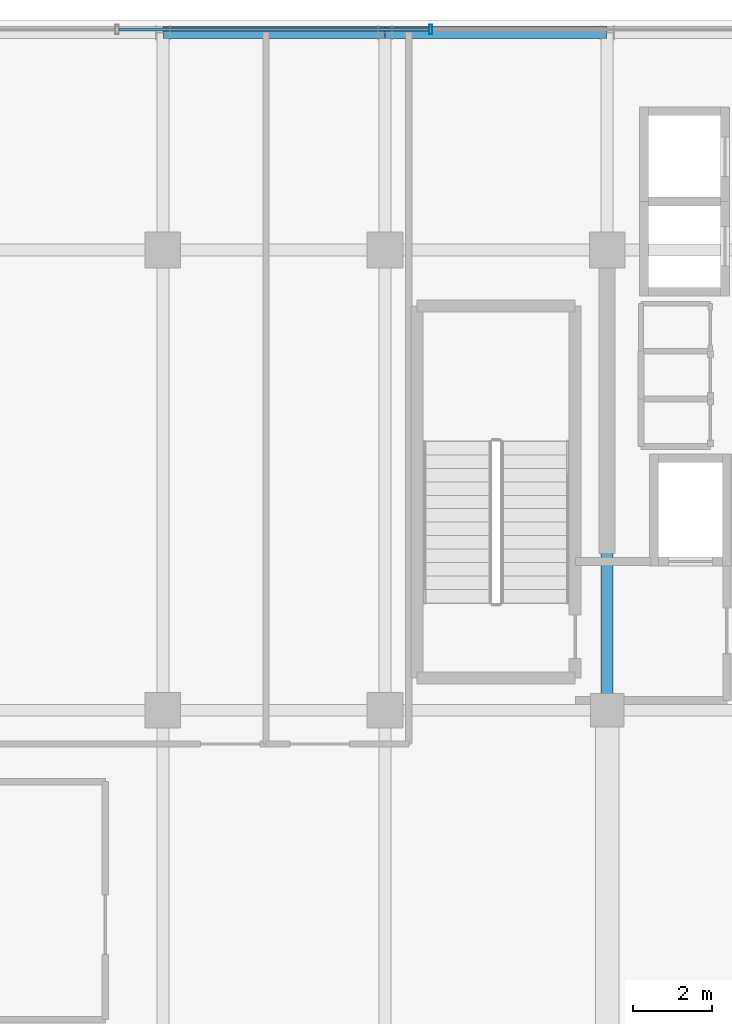
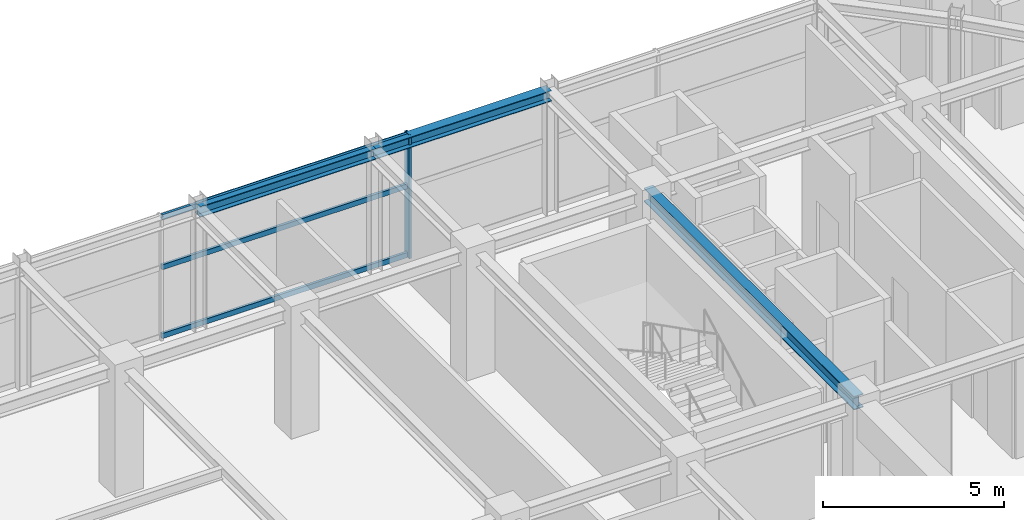
# One storey, part 15 of 25: 4 members, 3 beams, 1 element without a shape of its own.
"""IFC4 building model written with IfcOpenShell, lengths in metres."""

from ifc_helpers import new_model, si_unit, direction, frame, origin, origin_2d, place, context, subcontext, project, spatial, hollow_rectangle, i_section, extrude, source, transform, mapped, material, material_profile, profile_set, type_object, element, aggregate, save


model = new_model("IFC4")

# Units and contexts
model_context = context("Model", 3, precision=1e-05, world=origin(), true_north=direction((0.0, 1.0)))
body_context = subcontext(model_context, "Body", "Model", "MODEL_VIEW")
ifc_project = project(units=[si_unit("LENGTHUNIT", "METRE"), si_unit("AREAUNIT", "SQUARE_METRE"), si_unit("VOLUMEUNIT", "CUBIC_METRE"), si_unit("PLANEANGLEUNIT", "RADIAN"), si_unit("MASSUNIT", "GRAM", prefix="KILO")], contexts=[model_context])

# Site, building, storey
site_placement = place(None, origin())
site = spatial("IfcSite", under=ifc_project, at=site_placement, CompositionType="ELEMENT")
building_placement = place(site_placement, origin())
building = spatial("IfcBuilding", under=site, at=building_placement, Name="Nahalor Promenade Grand Hotel", CompositionType="ELEMENT")
storey_placement = place(building_placement, frame((0.0, 0.0, 338.550048828125)))
storey = spatial("IfcBuildingStorey", under=building, at=storey_placement, Name="L87", CompositionType="ELEMENT", Elevation=338.550048828125)

# Beams
ifc_material_1 = material(Name="Steel S355JR", Category="steel")
ifc_material_profile_1 = material_profile(ifc_material_1, i_section(OverallWidth=0.3, OverallDepth=0.45, WebThickness=0.014, FlangeThickness=0.026, at=origin_2d()), Name="HEB 450")
ifc_profile_set_1 = profile_set([ifc_material_profile_1], Name="Steel S355JR")
beam_type_1 = type_object("IfcBeamType", Name="Beam-Girder-HEB450", PredefinedType="BEAM", material=ifc_profile_set_1)
shared_shape_1 = source(origin(), body_context, "Body", "SweptSolid", [
    extrude(i_section(OverallWidth=0.3, OverallDepth=0.45, WebThickness=0.014, FlangeThickness=0.026, at=origin_2d()), origin(), (0.0, 0.0, 1.0), 11.60009765625),
])
beam_1_placement = place(storey_placement, frame((8.39990234375, 5.39990234375, 3.945068359375), z_axis=(0.0, 1.0, 0.0), x_axis=(-1.0, 0.0, 0.0)))
element("IfcBeam", 1, at=beam_1_placement, inside=storey, type_object=beam_type_1, Name="BM-L87-GY-4-3", PredefinedType="BEAM", context=body_context, shape_type="MappedRepresentation", body=[
    mapped(shared_shape_1, transform((0.0, 0.0, 0.0), scale=1.0)),
])
ifc_material_profile_2 = material_profile(ifc_material_1, i_section(OverallWidth=0.3, OverallDepth=0.36, WebThickness=0.0125, FlangeThickness=0.0225, at=origin_2d()), Name="HEB 360")
ifc_profile_set_2 = profile_set([ifc_material_profile_2], Name="Steel S355JR")
beam_type_2 = type_object("IfcBeamType", Name="Beam-Spandrel-HEB360", PredefinedType="SPANDREL", material=ifc_profile_set_2)
shared_shape_2 = source(origin(), body_context, "Body", "SweptSolid", [
    extrude(i_section(OverallWidth=0.3, OverallDepth=0.36, WebThickness=0.0125, FlangeThickness=0.0225, at=origin_2d()), origin(), (0.0, 0.0, 1.0), 5.599853515625),
])
beam_2_placement = place(storey_placement, frame((2.800048828125, 22.47998046875, 3.989990234375), z_axis=(1.0, 0.0, 0.0), x_axis=(0.0, 1.0, 0.0)))
element("IfcBeam", 2, at=beam_2_placement, inside=storey, type_object=beam_type_2, Name="BM-L87-SP-N-3", PredefinedType="SPANDREL", context=body_context, shape_type="MappedRepresentation", body=[
    mapped(shared_shape_2, transform((0.0, 0.0, 0.0), scale=1.0)),
])
shared_shape_3 = source(origin(), body_context, "Body", "SweptSolid", [
    extrude(i_section(OverallWidth=0.3, OverallDepth=0.36, WebThickness=0.0125, FlangeThickness=0.0225, at=origin_2d()), origin(), (0.0, 0.0, 1.0), 5.60009765625),
])
beam_3_placement = place(storey_placement, frame((-2.800048828125, 22.47998046875, 3.989990234375), z_axis=(1.0, 0.0, 0.0), x_axis=(0.0, 1.0, 0.0)))
element("IfcBeam", 3, at=beam_3_placement, inside=storey, type_object=beam_type_2, Name="BM-L87-SP-N-2", PredefinedType="SPANDREL", context=body_context, shape_type="MappedRepresentation", body=[
    mapped(shared_shape_3, transform((0.0, 0.0, 0.0), scale=1.0)),
])

# Curtain wall, members
ifc_material_2 = material(Name="Anodised Bronze Aluminium EN AW-6063 T6", Category="aluminium")
curtain_wall_type = type_object("IfcCurtainWallType", Name="CW5 Sky-Lobby & Observation Panoramic Curtain Wall", PredefinedType="USERDEFINED", material=ifc_material_2)
curtain_wall_placement = place(storey_placement, origin())
curtain_wall = element("IfcCurtainWall", 4, at=curtain_wall_placement, inside=storey, type_object=curtain_wall_type, Name="L87 Curtain Wall CW-L87-N-1", ObjectType="UNITISED_CURTAIN_WALL", PredefinedType="USERDEFINED")
ifc_material_profile_3 = material_profile(ifc_material_2, hollow_rectangle(XDim=0.085, YDim=0.25, WallThickness=0.006, at=origin_2d()), Name="CWM 85x250x6")
ifc_profile_set_3 = profile_set([ifc_material_profile_3], Name="Anodised Bronze Aluminium EN AW-6063 T6")
member_type_1 = type_object("IfcMemberType", Name="CWM5 Panoramic Deep Mullion 85x250", PredefinedType="MULLION", material=ifc_profile_set_3)
shared_shape_4 = source(origin(), body_context, "Body", "SweptSolid", [
    extrude(hollow_rectangle(XDim=0.085, YDim=0.25, WallThickness=0.006, at=origin_2d()), origin(), (0.0, 0.0, 1.0), 4.169921875),
])
member_1_placement = place(storey_placement, frame((3.951904296875, 22.56005859375, 0.0), z_axis=(0.0, 0.0, 1.0), x_axis=(1.0, 0.0, 0.0)))
member_1 = element("IfcMember", 5, at=member_1_placement, type_object=member_type_1, Name="CW-L87-N-1 Mullion 3", PredefinedType="MULLION", context=body_context, shape_type="MappedRepresentation", body=[
    mapped(shared_shape_4, transform((0.0, 0.0, 0.0), scale=1.0)),
])
ifc_material_profile_4 = material_profile(ifc_material_2, hollow_rectangle(XDim=0.085, YDim=0.17, WallThickness=0.005, at=origin_2d()), Name="CWT 85x170x5")
ifc_profile_set_4 = profile_set([ifc_material_profile_4], Name="Anodised Bronze Aluminium EN AW-6063 T6")
member_type_2 = type_object("IfcMemberType", Name="CWT5 Panoramic Transom 85x170", PredefinedType="USERDEFINED", material=ifc_profile_set_4)
shared_shape_5 = source(origin(), body_context, "Body", "SweptSolid", [
    extrude(hollow_rectangle(XDim=0.085, YDim=0.17, WallThickness=0.005, at=origin_2d()), origin(), (0.0, 0.0, 1.0), 7.81884765625),
])
member_2_placement = place(storey_placement, frame((-3.909423828125, 22.56005859375, 0.0849609375), z_axis=(1.0, 0.0, 0.0), x_axis=(0.0, 1.0, 0.0)))
member_2 = element("IfcMember", 6, at=member_2_placement, type_object=member_type_2, Name="CW-L87-N-1 Transom 2-0", ObjectType="TRANSOM", PredefinedType="USERDEFINED", context=body_context, shape_type="MappedRepresentation", body=[
    mapped(shared_shape_5, transform((0.0, 0.0, 0.0), scale=1.0)),
])
member_3_placement = place(storey_placement, frame((-3.909423828125, 22.56005859375, 2.39990234375), z_axis=(1.0, 0.0, 0.0), x_axis=(0.0, 1.0, 0.0)))
member_3 = element("IfcMember", 7, at=member_3_placement, type_object=member_type_2, Name="CW-L87-N-1 Transom 2-1", ObjectType="TRANSOM", PredefinedType="USERDEFINED", context=body_context, shape_type="MappedRepresentation", body=[
    mapped(shared_shape_5, transform((0.0, 0.0, 0.0), scale=1.0)),
])
member_4_placement = place(storey_placement, frame((-3.909423828125, 22.56005859375, 4.0849609375), z_axis=(1.0, 0.0, 0.0), x_axis=(0.0, 1.0, 0.0)))
member_4 = element("IfcMember", 8, at=member_4_placement, type_object=member_type_2, Name="CW-L87-N-1 Transom 2-2", ObjectType="TRANSOM", PredefinedType="USERDEFINED", context=body_context, shape_type="MappedRepresentation", body=[
    mapped(shared_shape_5, transform((0.0, 0.0, 0.0), scale=1.0)),
])
aggregate(curtain_wall, [member_1, member_2, member_3, member_4])

save(model, "model.ifc")
